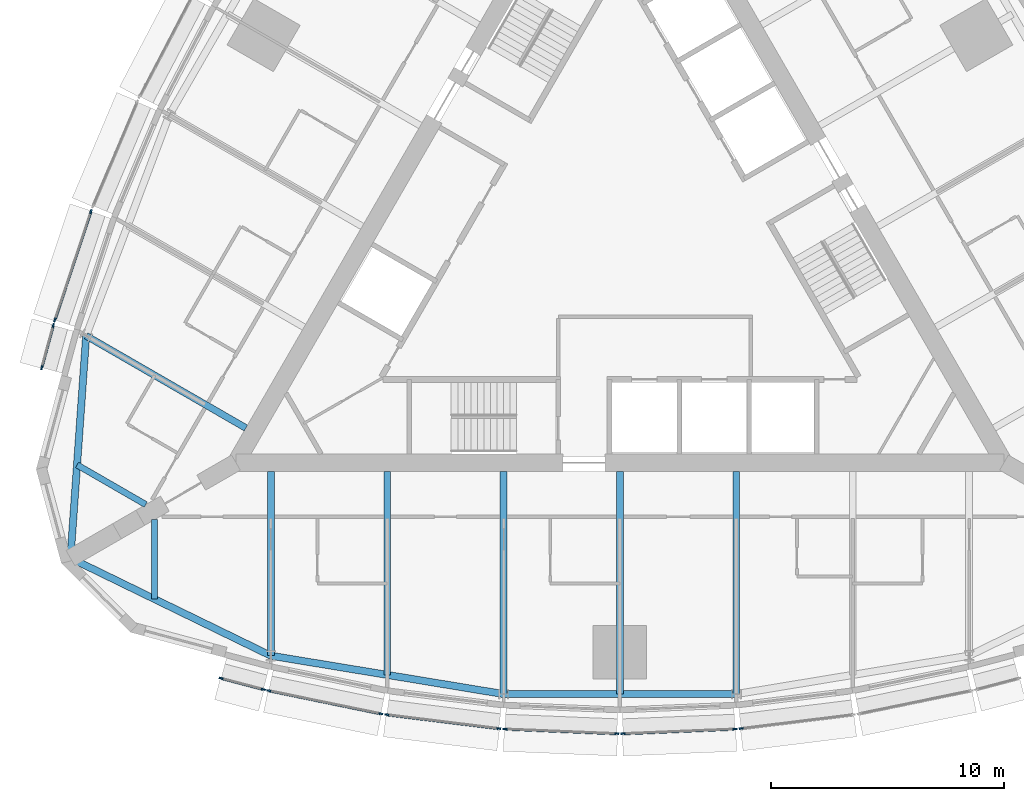
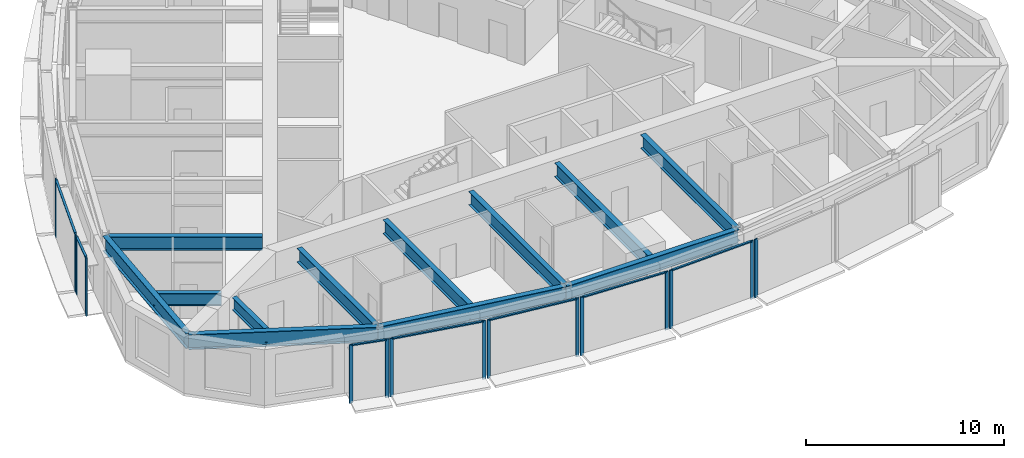
# One storey, part 2 of 15: 22 members, 12 beams, 8 elements without a shape of their own.
"""IFC4 building model written with IfcOpenShell, lengths in metres."""

import ifcopenshell
import ifcopenshell.guid

model = None  # the IFC model being written
_history = None  # IfcOwnerHistory: only IFC2X3 demands one
_inside = {}  # id of a spatial element -> (the spatial element, [elements in it])
_under = {}  # id of a project, library or spatial element -> (it, [spatial elements below it])
_declared = {}  # id of a project -> (the project, [libraries it declares])
_typed = {}  # id of a type object -> (the type object, [elements of that type])
_made_of = {}  # id of a material, layer set ... -> (it, [elements and type objects made of it])


def new_model(schema):
    """Start an empty IFC model of exactly this schema.

    Asked for "IFC4X3", IfcOpenShell would pick the latest addendum, in which some entities
    have other attributes; the version numbers below select the first issue.
    IFC2X3 requires an IfcOwnerHistory on every rooted entity: one is made here for all.
    """
    global model, _history
    if schema == "IFC4X3":
        model = ifcopenshell.file(schema_version=(4, 3, 0, 0))
    else:
        model = ifcopenshell.file(schema=schema)
    _inside.clear()
    _under.clear()
    _declared.clear()
    _typed.clear()
    _made_of.clear()
    _history = None
    if model.schema == "IFC2X3":
        org = make("IfcOrganization", Name="unknown")
        user = make(
            "IfcPersonAndOrganization",
            ThePerson=make("IfcPerson", FamilyName="unknown"),
            TheOrganization=org,
        )
        app = make(
            "IfcApplication",
            ApplicationDeveloper=org,
            Version="unknown",
            ApplicationFullName="unknown",
            ApplicationIdentifier="unknown",
        )
        _history = make(
            "IfcOwnerHistory",
            OwningUser=user,
            OwningApplication=app,
            ChangeAction="ADDED",
            CreationDate=0,
        )
    return model


def make(cls, **values):
    """One entity of the class cls with the attributes given. An attribute that is None is left unset."""
    return model.create_entity(
        cls, **{name: value for name, value in values.items() if value is not None}
    )


def rooted(cls, **values):
    """An entity with a GlobalId (a new one), such as an element, a storey or a relation."""
    return make(cls, GlobalId=ifcopenshell.guid.new(), OwnerHistory=_history, **values)


def si_unit(unit_type, name, prefix=None):
    """IfcSIUnit, for example si_unit("LENGTHUNIT", "METRE", prefix="MILLI")."""
    return make("IfcSIUnit", UnitType=unit_type, Prefix=prefix, Name=name)


def assignment(units):
    """IfcUnitAssignment: the units of a project."""
    return None if units is None else make("IfcUnitAssignment", Units=units)


def point(xyz):
    """IfcCartesianPoint."""
    return None if xyz is None else make("IfcCartesianPoint", Coordinates=xyz)


def direction(xyz):
    """IfcDirection."""
    return None if xyz is None else make("IfcDirection", DirectionRatios=xyz)


def frame(location, z_axis=None, x_axis=None):
    """IfcAxis2Placement3D, a coordinate frame: its origin and axes. An axis left out is left unset."""
    return make(
        "IfcAxis2Placement3D",
        Location=point(location),
        Axis=direction(z_axis),
        RefDirection=direction(x_axis),
    )


def frame_2d(location, x_axis=None):
    """IfcAxis2Placement2D, a coordinate frame in the plane: its origin and x axis."""
    return make(
        "IfcAxis2Placement2D", Location=point(location), RefDirection=direction(x_axis)
    )


def origin():
    """The frame at (0, 0, 0) with its axes left unset."""
    return frame((0.0, 0.0, 0.0))


def origin_2d():
    """The frame at (0, 0) in the plane with its x axis left unset."""
    return frame_2d((0.0, 0.0))


def place(relative_to, where):
    """IfcLocalPlacement: puts the frame where relative to a parent placement (None: the world)."""
    return make(
        "IfcLocalPlacement", PlacementRelTo=relative_to, RelativePlacement=where
    )


def context(
    kind, dimensions, precision=None, world=None, true_north=None, identifier=None
):
    """IfcGeometricRepresentationContext, for example the 3D "Model" context."""
    return make(
        "IfcGeometricRepresentationContext",
        ContextIdentifier=identifier,
        ContextType=kind,
        CoordinateSpaceDimension=dimensions,
        Precision=precision,
        WorldCoordinateSystem=world,
        TrueNorth=true_north,
    )


def subcontext(parent, identifier, kind, view, scale=None):
    """IfcGeometricRepresentationSubContext, for example "Body" below "Model"."""
    return make(
        "IfcGeometricRepresentationSubContext",
        ContextIdentifier=identifier,
        ContextType=kind,
        ParentContext=parent,
        TargetScale=scale,
        TargetView=view,
    )


def project(units=None, contexts=None):
    """IfcProject with its units and contexts."""
    return rooted(
        "IfcProject",
        Name="project",
        RepresentationContexts=contexts,
        UnitsInContext=assignment(units),
    )


def spatial(cls, under=None, at=None, **own):
    """A site, building, storey or space (cls), placed at a placement, below another one or the project."""
    s = rooted(cls, ObjectPlacement=at, **own)
    if under is not None:
        _under.setdefault(under.id(), (under, []))[1].append(s)
    return s


def profile(cls, at=None, kind="AREA", **sizes):
    """A parametric profile (cls). Its sizes go by their IFC names, for example OverallWidth=200.0."""
    return make(cls, ProfileType=kind, Position=at, **sizes)


def rectangle(**sizes):
    """IfcRectangleProfileDef."""
    return profile("IfcRectangleProfileDef", **sizes)


def i_section(**sizes):
    """IfcIShapeProfileDef."""
    return profile("IfcIShapeProfileDef", **sizes)


def extrude(swept, where, along, depth):
    """IfcExtrudedAreaSolid: the profile swept, set in the frame where, extruded along a direction by depth."""
    return make(
        "IfcExtrudedAreaSolid",
        SweptArea=swept,
        Position=where,
        ExtrudedDirection=direction(along),
        Depth=depth,
    )


def shape(context_of_items, identifier, shape_type, items):
    """IfcShapeRepresentation: the items that make up one representation, for example the "Body"."""
    return make(
        "IfcShapeRepresentation",
        ContextOfItems=context_of_items,
        RepresentationIdentifier=identifier,
        RepresentationType=shape_type,
        Items=items,
    )


def material(Name=None, Category=None):
    """IfcMaterial."""
    return make("IfcMaterial", Name=Name, Category=Category)


def material_profile(
    of_material, cross_section, Name=None, Category=None, Priority=None
):
    """IfcMaterialProfile: a cross section and its material."""
    return make(
        "IfcMaterialProfile",
        Name=Name,
        Material=of_material,
        Profile=cross_section,
        Priority=Priority,
        Category=Category,
    )


def profile_set(profiles, Name=None, composite=None):
    """IfcMaterialProfileSet."""
    return make(
        "IfcMaterialProfileSet",
        Name=Name,
        MaterialProfiles=profiles,
        CompositeProfile=composite,
    )


def made_of(thing, what):
    """Note that an element or type object is made of a material, layer set ...; save() writes the relation."""
    if what is not None:
        _made_of.setdefault(what.id(), (what, []))[1].append(thing)
    return thing


def type_object(cls, material=None, **own):
    """A type object (cls), such as IfcWallType, which elements share."""
    return made_of(rooted(cls, **own), material)


def element(
    cls,
    number,
    at=None,
    inside=None,
    cuts=None,
    type_object=None,
    material=None,
    context=None,
    identifier="Body",
    shape_type=None,
    held_by="IfcProductDefinitionShape",
    body=None,
    shapes=None,
    **own,
):
    """One element of the class cls, such as IfcWall. Its Tag is "e" and its number.

    at: its placement. inside: the storey or other place that contains it. cuts: it is an
    opening in that element (IfcRelVoidsElement). A single representation is given by context,
    identifier, shape_type and body (its items); several are given by shapes. held_by: the class
    of the entity that holds the representations. save() writes the other relations.
    """
    e = rooted(cls, Tag="e%d" % number, ObjectPlacement=at, **own)
    if body is not None:
        shapes = [shape(context, identifier, shape_type, body)]
    if shapes is not None:
        e.Representation = make(held_by, Representations=shapes)
    if inside is not None:
        _inside.setdefault(inside.id(), (inside, []))[1].append(e)
    if cuts is not None:
        rooted(
            "IfcRelVoidsElement", RelatingBuildingElement=cuts, RelatedOpeningElement=e
        )
    if type_object is not None:
        _typed.setdefault(type_object.id(), (type_object, []))[1].append(e)
    return made_of(e, material)


def aggregate(whole, parts):
    """IfcRelAggregates: a whole, such as a stair, and the parts it consists of."""
    return rooted("IfcRelAggregates", RelatingObject=whole, RelatedObjects=parts)


def save(model, path):
    """Write the relations noted so far, then the file.

    IfcRelAggregates (storeys below a building ...), IfcRelContainedInSpatialStructure (elements
    in a storey), IfcRelDefinesByType, IfcRelAssociatesMaterial and IfcRelDeclares: one each for
    every whole, place, type object, material and project.
    """
    for whole, parts in _under.values():
        aggregate(whole, parts)
    for where, things in _inside.values():
        rooted(
            "IfcRelContainedInSpatialStructure",
            RelatedElements=things,
            RelatingStructure=where,
        )
    for kind, things in _typed.values():
        rooted("IfcRelDefinesByType", RelatedObjects=things, RelatingType=kind)
    for what, things in _made_of.values():
        rooted("IfcRelAssociatesMaterial", RelatedObjects=things, RelatingMaterial=what)
    for by, libraries in _declared.values():
        rooted("IfcRelDeclares", RelatingContext=by, RelatedDefinitions=libraries)
    model.write(path)


model = new_model("IFC4")

# Units and contexts
model_context = context("Model", 3, precision=1e-05, world=origin(), true_north=direction((0.0, 1.0)))
body_context = subcontext(model_context, "Body", "Model", "MODEL_VIEW")
ifc_project = project(units=[si_unit("LENGTHUNIT", "METRE"), si_unit("AREAUNIT", "SQUARE_METRE"), si_unit("VOLUMEUNIT", "CUBIC_METRE"), si_unit("PLANEANGLEUNIT", "RADIAN"), si_unit("MASSUNIT", "GRAM", prefix="KILO")], contexts=[model_context])

# Site, building, storey
site_placement = place(None, origin())
site = spatial("IfcSite", under=ifc_project, at=site_placement, CompositionType="ELEMENT")
building_placement = place(site_placement, origin())
building = spatial("IfcBuilding", under=site, at=building_placement, Name="Trikona Tower", CompositionType="ELEMENT")
storey_placement = place(building_placement, frame((0.0, 0.0, 218.89990234375)))
storey = spatial("IfcBuildingStorey", under=building, at=storey_placement, Name="L58", CompositionType="ELEMENT", Elevation=218.89990234375)

# Curtain wall, members
ifc_material_1 = material(Name="Aluminium curtain wall system", Category="aluminium")
curtain_wall_type = type_object("IfcCurtainWallType", Name="Curtain wall DS3", PredefinedType="NOTDEFINED", material=ifc_material_1)
curtain_wall_1_placement = place(storey_placement, origin())
curtain_wall_1 = element("IfcCurtainWall", 1, at=curtain_wall_1_placement, inside=storey, type_object=curtain_wall_type, Name="Curtain wall DS3 L58", PredefinedType="NOTDEFINED")
ifc_material_2 = material(Name="Aluminium mullion, pale anodised", Category="aluminium")
ifc_material_profile_1 = material_profile(ifc_material_2, rectangle(XDim=0.070068359375, YDim=0.179931640625, at=origin_2d()), Name="MUL-DS3")
ifc_profile_set_1 = profile_set([ifc_material_profile_1], Name="Aluminium mullion, pale anodised")
member_type_1 = type_object("IfcMemberType", Name="Mullion DS3 70x180", PredefinedType="MULLION", material=ifc_profile_set_1)
member_1_placement = place(storey_placement, frame((-17.137451171875, -18.79248046875, 0.0), z_axis=(0.0, 0.0, 1.0), x_axis=(0.25478635579, 0.966997369647, 0.0)))
member_1 = element("IfcMember", 2, at=member_1_placement, type_object=member_type_1, Name="CW-DS3 mullion 1", PredefinedType="MULLION", context=body_context, shape_type="SweptSolid", body=[
    extrude(rectangle(XDim=0.070068359375, YDim=0.179931640625, at=origin_2d()), origin(), (0.0, 0.0, 1.0), 3.60009765625),
])
member_2_placement = place(storey_placement, frame((-15.321044921875, -19.27099609375, 0.0), z_axis=(0.0, 0.0, 1.0), x_axis=(0.25478635579, 0.966997369647, 0.0)))
member_2 = element("IfcMember", 3, at=member_2_placement, type_object=member_type_1, Name="CW-DS3 mullion 2", PredefinedType="MULLION", context=body_context, shape_type="SweptSolid", body=[
    extrude(rectangle(XDim=0.070068359375, YDim=0.179931640625, at=origin_2d()), origin(), (0.0, 0.0, 1.0), 3.60009765625),
])

curtain_wall_2_placement = place(storey_placement, origin())
curtain_wall_2 = element("IfcCurtainWall", 4, at=curtain_wall_2_placement, inside=storey, type_object=curtain_wall_type, Name="Curtain wall DS3 L58", PredefinedType="NOTDEFINED")
member_3_placement = place(storey_placement, frame((-15.08837890625, -19.325439453125, 0.0), z_axis=(0.0, 0.0, 1.0), x_axis=(0.201652920672, 0.979457043256, 0.0)))
member_3 = element("IfcMember", 5, at=member_3_placement, type_object=member_type_1, Name="CW-DS3 mullion 1", PredefinedType="MULLION", context=body_context, shape_type="SweptSolid", body=[
    extrude(rectangle(XDim=0.070068359375, YDim=0.179931640625, at=origin_2d()), origin(), (0.0, 0.0, 1.0), 3.60009765625),
])
member_4_placement = place(storey_placement, frame((-10.274658203125, -20.316650390625, 0.0), z_axis=(0.0, 0.0, 1.0), x_axis=(0.201652920672, 0.979457043256, 0.0)))
member_4 = element("IfcMember", 6, at=member_4_placement, type_object=member_type_1, Name="CW-DS3 mullion 2", PredefinedType="MULLION", context=body_context, shape_type="SweptSolid", body=[
    extrude(rectangle(XDim=0.070068359375, YDim=0.179931640625, at=origin_2d()), origin(), (0.0, 0.0, 1.0), 3.60009765625),
])

curtain_wall_3_placement = place(storey_placement, origin())
curtain_wall_3 = element("IfcCurtainWall", 7, at=curtain_wall_3_placement, inside=storey, type_object=curtain_wall_type, Name="Curtain wall DS3 L58", PredefinedType="NOTDEFINED")
member_5_placement = place(storey_placement, frame((-10.01611328125, -20.359130859375, 0.0), z_axis=(0.0, 0.0, 1.0), x_axis=(0.122610640458, 0.992454850785, 0.0)))
member_5 = element("IfcMember", 8, at=member_5_placement, type_object=member_type_1, Name="CW-DS3 mullion 1", PredefinedType="MULLION", context=body_context, shape_type="SweptSolid", body=[
    extrude(rectangle(XDim=0.070068359375, YDim=0.179931640625, at=origin_2d()), origin(), (0.0, 0.0, 1.0), 3.60009765625),
])
member_6_placement = place(storey_placement, frame((-5.20458984375, -20.95361328125, 0.0), z_axis=(0.0, 0.0, 1.0), x_axis=(0.122610640458, 0.992454850785, 0.0)))
member_6 = element("IfcMember", 9, at=member_6_placement, type_object=member_type_1, Name="CW-DS3 mullion 2", PredefinedType="MULLION", context=body_context, shape_type="SweptSolid", body=[
    extrude(rectangle(XDim=0.070068359375, YDim=0.179931640625, at=origin_2d()), origin(), (0.0, 0.0, 1.0), 3.60009765625),
])

curtain_wall_4_placement = place(storey_placement, origin())
curtain_wall_4 = element("IfcCurtainWall", 10, at=curtain_wall_4_placement, inside=storey, type_object=curtain_wall_type, Name="Curtain wall DS3 L58", PredefinedType="NOTDEFINED")
member_7_placement = place(storey_placement, frame((-4.942138671875, -20.97509765625, 0.0), z_axis=(0.0, 0.0, 1.0), x_axis=(0.04115278907, 0.999152865157, 0.0)))
member_7 = element("IfcMember", 11, at=member_7_placement, type_object=member_type_1, Name="CW-DS3 mullion 1", PredefinedType="MULLION", context=body_context, shape_type="SweptSolid", body=[
    extrude(rectangle(XDim=0.070068359375, YDim=0.179931640625, at=origin_2d()), origin(), (0.0, 0.0, 1.0), 3.60009765625),
])
member_8_placement = place(storey_placement, frame((-0.132080078125, -21.17333984375, 0.0), z_axis=(0.0, 0.0, 1.0), x_axis=(0.04115278907, 0.999152865157, 0.0)))
member_8 = element("IfcMember", 12, at=member_8_placement, type_object=member_type_1, Name="CW-DS3 mullion 2", PredefinedType="MULLION", context=body_context, shape_type="SweptSolid", body=[
    extrude(rectangle(XDim=0.070068359375, YDim=0.179931640625, at=origin_2d()), origin(), (0.0, 0.0, 1.0), 3.60009765625),
])

curtain_wall_5_placement = place(storey_placement, origin())
curtain_wall_5 = element("IfcCurtainWall", 13, at=curtain_wall_5_placement, inside=storey, type_object=curtain_wall_type, Name="Curtain wall DS3 L58", PredefinedType="NOTDEFINED")
member_9_placement = place(storey_placement, frame((0.132080078125, -21.17333984375, 0.0), z_axis=(0.0, 0.0, 1.0), x_axis=(-0.04115278907, 0.999152865157, 0.0)))
member_9 = element("IfcMember", 14, at=member_9_placement, type_object=member_type_1, Name="CW-DS3 mullion 1", PredefinedType="MULLION", context=body_context, shape_type="SweptSolid", body=[
    extrude(rectangle(XDim=0.070068359375, YDim=0.179931640625, at=origin_2d()), origin(), (0.0, 0.0, 1.0), 3.60009765625),
])
member_10_placement = place(storey_placement, frame((4.942138671875, -20.97509765625, 0.0), z_axis=(0.0, 0.0, 1.0), x_axis=(-0.04115278907, 0.999152865157, 0.0)))
member_10 = element("IfcMember", 15, at=member_10_placement, type_object=member_type_1, Name="CW-DS3 mullion 2", PredefinedType="MULLION", context=body_context, shape_type="SweptSolid", body=[
    extrude(rectangle(XDim=0.070068359375, YDim=0.179931640625, at=origin_2d()), origin(), (0.0, 0.0, 1.0), 3.60009765625),
])

# Curtain wall, member
curtain_wall_6_placement = place(storey_placement, origin())
curtain_wall_6 = element("IfcCurtainWall", 16, at=curtain_wall_6_placement, inside=storey, type_object=curtain_wall_type, Name="Curtain wall DS3 L58", PredefinedType="NOTDEFINED")
member_11_placement = place(storey_placement, frame((5.20458984375, -20.95361328125, 0.0), z_axis=(0.0, 0.0, 1.0), x_axis=(-0.122610640458, 0.992454850785, 0.0)))
member_11 = element("IfcMember", 17, at=member_11_placement, type_object=member_type_1, Name="CW-DS3 mullion 1", PredefinedType="MULLION", context=body_context, shape_type="SweptSolid", body=[
    extrude(rectangle(XDim=0.070068359375, YDim=0.179931640625, at=origin_2d()), origin(), (0.0, 0.0, 1.0), 3.60009765625),
])
aggregate(curtain_wall_6, [member_11])

# Curtain wall, members
curtain_wall_7_placement = place(storey_placement, origin())
curtain_wall_7 = element("IfcCurtainWall", 18, at=curtain_wall_7_placement, inside=storey, type_object=curtain_wall_type, Name="Curtain wall DS3 L58", PredefinedType="NOTDEFINED")
member_12_placement = place(storey_placement, frame((-22.73193359375, 1.26025390625, 0.0), z_axis=(0.0, 0.0, 1.0), x_axis=(0.949065766708, -0.315078038687, 0.0)))
member_12 = element("IfcMember", 19, at=member_12_placement, type_object=member_type_1, Name="CW-DS3 mullion 1", PredefinedType="MULLION", context=body_context, shape_type="SweptSolid", body=[
    extrude(rectangle(XDim=0.070068359375, YDim=0.179931640625, at=origin_2d()), origin(), (0.0, 0.0, 1.0), 3.60009765625),
])
member_13_placement = place(storey_placement, frame((-24.280517578125, -3.404296875, 0.0), z_axis=(0.0, 0.0, 1.0), x_axis=(0.949065766708, -0.315078038687, 0.0)))
member_13 = element("IfcMember", 20, at=member_13_placement, type_object=member_type_1, Name="CW-DS3 mullion 2", PredefinedType="MULLION", context=body_context, shape_type="SweptSolid", body=[
    extrude(rectangle(XDim=0.070068359375, YDim=0.179931640625, at=origin_2d()), origin(), (0.0, 0.0, 1.0), 3.60009765625),
])

curtain_wall_8_placement = place(storey_placement, origin())
curtain_wall_8 = element("IfcCurtainWall", 21, at=curtain_wall_8_placement, inside=storey, type_object=curtain_wall_type, Name="Curtain wall DS3 L58", PredefinedType="NOTDEFINED")
member_14_placement = place(storey_placement, frame((-24.349609375, -3.633056640625, 0.0), z_axis=(0.0, 0.0, 1.0), x_axis=(0.964838403494, -0.262843784676, 0.0)))
member_14 = element("IfcMember", 22, at=member_14_placement, type_object=member_type_1, Name="CW-DS3 mullion 1", PredefinedType="MULLION", context=body_context, shape_type="SweptSolid", body=[
    extrude(rectangle(XDim=0.070068359375, YDim=0.179931640625, at=origin_2d()), origin(), (0.0, 0.0, 1.0), 3.60009765625),
])
member_15_placement = place(storey_placement, frame((-24.843505859375, -5.4453125, 0.0), z_axis=(0.0, 0.0, 1.0), x_axis=(0.964838403494, -0.262843784676, 0.0)))
member_15 = element("IfcMember", 23, at=member_15_placement, type_object=member_type_1, Name="CW-DS3 mullion 2", PredefinedType="MULLION", context=body_context, shape_type="SweptSolid", body=[
    extrude(rectangle(XDim=0.070068359375, YDim=0.179931640625, at=origin_2d()), origin(), (0.0, 0.0, 1.0), 3.60009765625),
])

# Beams
ifc_material_3 = material(Name="Steel ASTM A992 Grade 50", Category="steel")
ifc_material_profile_2 = material_profile(ifc_material_3, i_section(OverallWidth=0.2666015625, OverallDepth=0.76953125, WebThickness=0.015625, FlangeThickness=0.025390625, at=origin_2d()), Name="W30X132")
ifc_profile_set_2 = profile_set([ifc_material_profile_2], Name="Steel ASTM A992 Grade 50")
beam_type_1 = type_object("IfcBeamType", Name="Steel beam W30x132 (wedge)", PredefinedType="BEAM", material=ifc_profile_set_2)
beam_1_placement = place(storey_placement, frame((-20.0, -11.97998046875, 3.05029296875), z_axis=(0.0, -1.0, 0.0), x_axis=(1.0, 0.0, 0.0)))
element("IfcBeam", 24, at=beam_1_placement, inside=storey, type_object=beam_type_1, Name="Floor beam L59 F1 u-20", PredefinedType="BEAM", context=body_context, shape_type="SweptSolid", body=[
    extrude(i_section(OverallWidth=0.2666015625, OverallDepth=0.76953125, WebThickness=0.015625, FlangeThickness=0.025390625, at=origin_2d()), origin(), (0.0, 0.0, 1.0), 3.40966796875),
])
beam_2_placement = place(storey_placement, frame((-20.375, -11.33056640625, 3.05029296875), z_axis=(-0.865995995653, 0.500050932918, 0.0), x_axis=(-0.500050932918, -0.865995995653, 0.0)))
element("IfcBeam", 25, at=beam_2_placement, inside=storey, type_object=beam_type_1, Name="Floor beam L59 F3 u20", PredefinedType="BEAM", context=body_context, shape_type="SweptSolid", body=[
    extrude(i_section(OverallWidth=0.2666015625, OverallDepth=0.76953125, WebThickness=0.015625, FlangeThickness=0.025390625, at=origin_2d()), origin(), (0.0, 0.0, 1.0), 3.409912109375),
])
ifc_material_4 = material(Name="Steel ASTM A992 Grade 50", Category="steel")
ifc_material_profile_3 = material_profile(ifc_material_4, i_section(OverallWidth=0.2919921875, OverallDepth=0.845703125, WebThickness=0.015380859375, FlangeThickness=0.0244140625, at=origin_2d()), Name="W33X141")
ifc_profile_set_3 = profile_set([ifc_material_profile_3], Name="Steel ASTM A992 Grade 50")
beam_type_2 = type_object("IfcBeamType", Name="Steel beam W33x141 (radial typ)", PredefinedType="BEAM", material=ifc_profile_set_3)
beam_3_placement = place(storey_placement, frame((-15.0, -9.9013671875, 3.01220703125), z_axis=(0.0, -1.0, 0.0), x_axis=(1.0, 0.0, 0.0)))
element("IfcBeam", 26, at=beam_3_placement, inside=storey, type_object=beam_type_2, Name="Floor beam L59 F1 u-15", PredefinedType="BEAM", context=body_context, shape_type="SweptSolid", body=[
    extrude(i_section(OverallWidth=0.2919921875, OverallDepth=0.845703125, WebThickness=0.015380859375, FlangeThickness=0.0244140625, at=origin_2d()), origin(), (0.0, 0.0, 1.0), 7.923583984375),
])
beam_4_placement = place(storey_placement, frame((-10.0, -9.9013671875, 3.01220703125), z_axis=(0.0, -1.0, 0.0), x_axis=(1.0, 0.0, 0.0)))
element("IfcBeam", 27, at=beam_4_placement, inside=storey, type_object=beam_type_2, Name="Floor beam L59 F1 u-10", PredefinedType="BEAM", context=body_context, shape_type="SweptSolid", body=[
    extrude(i_section(OverallWidth=0.2919921875, OverallDepth=0.845703125, WebThickness=0.015380859375, FlangeThickness=0.0244140625, at=origin_2d()), origin(), (0.0, 0.0, 1.0), 8.7470703125),
])
for number, where, z_axis, x_axis, name in (
    (28, (-5.0, -9.9013671875, 3.01220703125), (0.0, -1.0, 0.0), (1.0, 0.0, 0.0), "Floor beam L59 F1 u-5"),
    (29, (0.0, -9.9013671875, 3.01220703125), (0.0, -1.0, 0.0), (1.0, 0.0, 0.0), "Floor beam L59 F1 u0"),
    (30, (5.0, -9.9013671875, 3.01220703125), (0.0, -1.0, 0.0), (1.0, 0.0, 0.0), "Floor beam L59 F1 u5"),
):
    element("IfcBeam", number, at=place(storey_placement, frame(where, z_axis=z_axis, x_axis=x_axis)), inside=storey, type_object=beam_type_2, Name=name, PredefinedType="BEAM", context=body_context, shape_type="SweptSolid", body=[
        extrude(i_section(OverallWidth=0.2919921875, OverallDepth=0.845703125, WebThickness=0.015380859375, FlangeThickness=0.0244140625, at=origin_2d()), origin(), (0.0, 0.0, 1.0), 9.570556640625),
    ])
beam_5_placement = place(storey_placement, frame((-16.07470703125, -8.039794921875, 3.01220703125), z_axis=(-0.866019853763, 0.500009612796, 0.0), x_axis=(-0.500009612796, -0.866019853763, 0.0)))
element("IfcBeam", 31, at=beam_5_placement, inside=storey, type_object=beam_type_2, Name="Floor beam L59 F3 u15", PredefinedType="BEAM", context=body_context, shape_type="SweptSolid", body=[
    extrude(i_section(OverallWidth=0.2919921875, OverallDepth=0.845703125, WebThickness=0.015380859375, FlangeThickness=0.0244140625, at=origin_2d()), origin(), (0.0, 0.0, 1.0), 7.923583984375),
])
ifc_material_5 = material(Name="Steel ASTM A992 Grade 50", Category="steel")
ifc_material_profile_4 = material_profile(ifc_material_5, i_section(OverallWidth=0.307373046875, OverallDepth=0.922119140625, WebThickness=0.018310546875, FlangeThickness=0.030029296875, at=origin_2d()), Name="W36X182")
ifc_profile_set_4 = profile_set([ifc_material_profile_4], Name="Steel ASTM A992 Grade 50")
beam_type_3 = type_object("IfcBeamType", Name="Steel beam W36x182 (spandrel mid)", PredefinedType="SPANDREL", material=ifc_profile_set_4)
beam_6_placement = place(storey_placement, frame((-23.6103515625, -13.63134765625, 2.97412109375), z_axis=(0.899038503257, -0.437869580652, 0.0), x_axis=(0.437869580652, 0.899038503257, 0.0)))
element("IfcBeam", 32, at=beam_6_placement, inside=storey, type_object=beam_type_3, Name="Spandrel beam L59 F1-1", PredefinedType="SPANDREL", context=body_context, shape_type="SweptSolid", body=[
    extrude(i_section(OverallWidth=0.307373046875, OverallDepth=0.922119140625, WebThickness=0.018310546875, FlangeThickness=0.030029296875, at=origin_2d()), origin(), (0.0, 0.0, 1.0), 9.577392578125),
])
beam_7_placement = place(storey_placement, frame((-15.0, -17.824951171875, 2.97412109375), z_axis=(0.986707228918, -0.162507982575, 0.0), x_axis=(0.162507982575, 0.986707228918, 0.0)))
element("IfcBeam", 33, at=beam_7_placement, inside=storey, type_object=beam_type_3, Name="Spandrel beam L59 F1-2", PredefinedType="SPANDREL", context=body_context, shape_type="SweptSolid", body=[
    extrude(i_section(OverallWidth=0.307373046875, OverallDepth=0.922119140625, WebThickness=0.018310546875, FlangeThickness=0.030029296875, at=origin_2d()), origin(), (0.0, 0.0, 1.0), 10.134765625),
])
beam_8_placement = place(storey_placement, frame((-5.0, -19.471923828125, 2.97412109375), z_axis=(1.0, 0.0, 0.0), x_axis=(0.0, 1.0, 0.0)))
element("IfcBeam", 34, at=beam_8_placement, inside=storey, type_object=beam_type_3, Name="Spandrel beam L59 F1-3", PredefinedType="SPANDREL", context=body_context, shape_type="SweptSolid", body=[
    extrude(i_section(OverallWidth=0.307373046875, OverallDepth=0.922119140625, WebThickness=0.018310546875, FlangeThickness=0.030029296875, at=origin_2d()), origin(), (0.0, 0.0, 1.0), 10.0),
])
beam_9_placement = place(storey_placement, frame((-22.936767578125, -4.077880859375, 2.97412109375), z_axis=(-0.07033215835, -0.997523627541, 0.0), x_axis=(0.997523627541, -0.07033215835, 0.0)))
element("IfcBeam", 35, at=beam_9_placement, inside=storey, type_object=beam_type_3, Name="Spandrel beam L59 F3-5", PredefinedType="SPANDREL", context=body_context, shape_type="SweptSolid", body=[
    extrude(i_section(OverallWidth=0.307373046875, OverallDepth=0.922119140625, WebThickness=0.018310546875, FlangeThickness=0.030029296875, at=origin_2d()), origin(), (0.0, 0.0, 1.0), 9.5771484375),
])

# Member
ifc_material_6 = material(Name="Aluminium transom, pale anodised", Category="aluminium")
ifc_material_profile_5 = material_profile(ifc_material_6, rectangle(XDim=0.1201171875, YDim=0.070068359375, at=origin_2d()), Name="TRN-DS3")
ifc_profile_set_5 = profile_set([ifc_material_profile_5], Name="Aluminium transom, pale anodised")
member_type_2 = type_object("IfcMemberType", Name="Transom DS3 70x120", PredefinedType="USERDEFINED", material=ifc_profile_set_5)
member_16_placement = place(storey_placement, frame((-17.103515625, -18.80126953125, 3.565185546875), z_axis=(0.966999290683, -0.254779064719, 0.0), x_axis=(0.254779064719, 0.966999290683, 0.0)))
member_16 = element("IfcMember", 36, at=member_16_placement, type_object=member_type_2, Name="CW-DS3 transom 1.1", ObjectType="TRANSOM", PredefinedType="USERDEFINED", context=body_context, shape_type="SweptSolid", body=[
    extrude(rectangle(XDim=0.1201171875, YDim=0.070068359375, at=origin_2d()), origin(), (0.0, 0.0, 1.0), 1.80810546875),
])

aggregate(curtain_wall_1, [member_1, member_2, member_16])

member_17_placement = place(storey_placement, frame((-15.05419921875, -19.33251953125, 3.565185546875), z_axis=(0.979454408611, -0.201665717099, 0.0), x_axis=(0.201665717099, 0.979454408611, 0.0)))
member_17 = element("IfcMember", 37, at=member_17_placement, type_object=member_type_2, Name="CW-DS3 transom 1.1", ObjectType="TRANSOM", PredefinedType="USERDEFINED", context=body_context, shape_type="SweptSolid", body=[
    extrude(rectangle(XDim=0.1201171875, YDim=0.070068359375, at=origin_2d()), origin(), (0.0, 0.0, 1.0), 4.844970703125),
])

aggregate(curtain_wall_2, [member_3, member_4, member_17])

member_18_placement = place(storey_placement, frame((-9.9814453125, -20.363525390625, 3.565185546875), z_axis=(0.992459172161, -0.122575656611, 0.0), x_axis=(0.122575656611, 0.992459172161, 0.0)))
member_18 = element("IfcMember", 38, at=member_18_placement, type_object=member_type_2, Name="CW-DS3 transom 1.1", ObjectType="TRANSOM", PredefinedType="USERDEFINED", context=body_context, shape_type="SweptSolid", body=[
    extrude(rectangle(XDim=0.1201171875, YDim=0.070068359375, at=origin_2d()), origin(), (0.0, 0.0, 1.0), 4.7783203125),
])

aggregate(curtain_wall_3, [member_5, member_6, member_18])

member_19_placement = place(storey_placement, frame((-4.9072265625, -20.9765625, 3.565185546875), z_axis=(0.99915223027, -0.04116820067, 0.0), x_axis=(0.04116820067, 0.99915223027, 0.0)))
member_19 = element("IfcMember", 39, at=member_19_placement, type_object=member_type_2, Name="CW-DS3 transom 1.1", ObjectType="TRANSOM", PredefinedType="USERDEFINED", context=body_context, shape_type="SweptSolid", body=[
    extrude(rectangle(XDim=0.1201171875, YDim=0.070068359375, at=origin_2d()), origin(), (0.0, 0.0, 1.0), 4.744140625),
])

aggregate(curtain_wall_4, [member_7, member_8, member_19])

member_20_placement = place(storey_placement, frame((0.1669921875, -21.171875, 3.565185546875), z_axis=(0.99915223027, 0.04116820067, 0.0), x_axis=(-0.04116820067, 0.99915223027, 0.0)))
member_20 = element("IfcMember", 40, at=member_20_placement, type_object=member_type_2, Name="CW-DS3 transom 1.1", ObjectType="TRANSOM", PredefinedType="USERDEFINED", context=body_context, shape_type="SweptSolid", body=[
    extrude(rectangle(XDim=0.1201171875, YDim=0.070068359375, at=origin_2d()), origin(), (0.0, 0.0, 1.0), 4.744140625),
])

aggregate(curtain_wall_5, [member_9, member_10, member_20])

member_21_placement = place(storey_placement, frame((-22.7431640625, 1.22705078125, 3.565185546875), z_axis=(-0.315063426034, -0.949070617802, 0.0), x_axis=(0.949070617802, -0.315063426034, 0.0)))
member_21 = element("IfcMember", 41, at=member_21_placement, type_object=member_type_2, Name="CW-DS3 transom 1.1", ObjectType="TRANSOM", PredefinedType="USERDEFINED", context=body_context, shape_type="SweptSolid", body=[
    extrude(rectangle(XDim=0.1201171875, YDim=0.070068359375, at=origin_2d()), origin(), (0.0, 0.0, 1.0), 4.8447265625),
])

aggregate(curtain_wall_7, [member_12, member_13, member_21])

member_22_placement = place(storey_placement, frame((-24.35888671875, -3.666748046875, 3.565185546875), z_axis=(-0.262843243155, -0.964838551017, 0.0), x_axis=(0.964838551017, -0.262843243155, 0.0)))
member_22 = element("IfcMember", 42, at=member_22_placement, type_object=member_type_2, Name="CW-DS3 transom 1.1", ObjectType="TRANSOM", PredefinedType="USERDEFINED", context=body_context, shape_type="SweptSolid", body=[
    extrude(rectangle(XDim=0.1201171875, YDim=0.070068359375, at=origin_2d()), origin(), (0.0, 0.0, 1.0), 1.808349609375),
])

aggregate(curtain_wall_8, [member_14, member_15, member_22])

save(model, "model.ifc")
